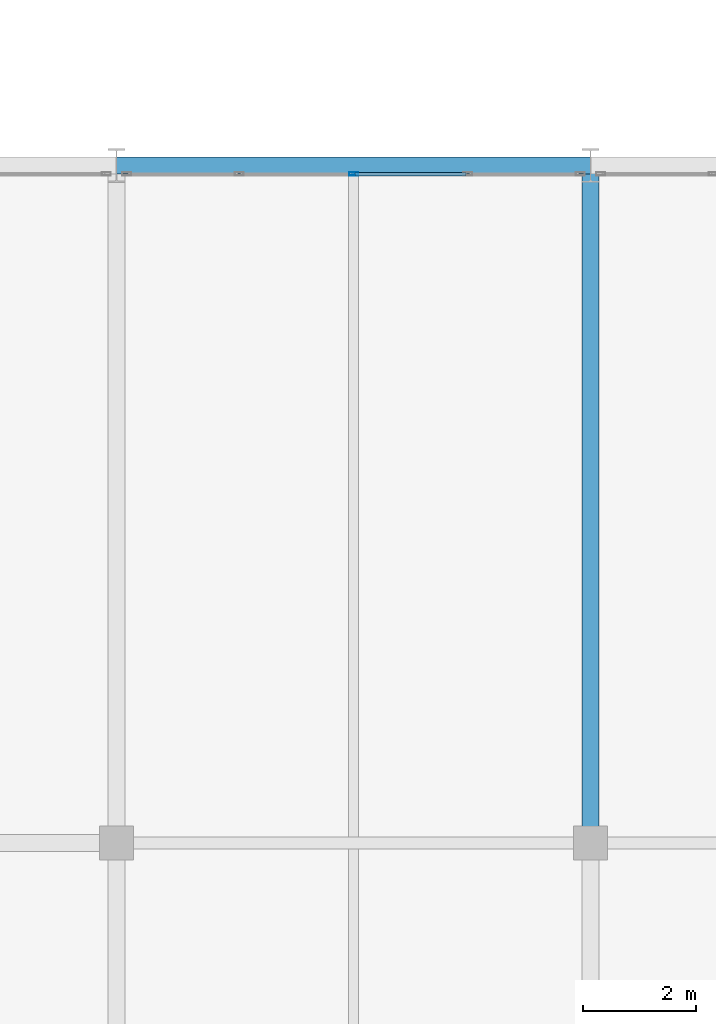
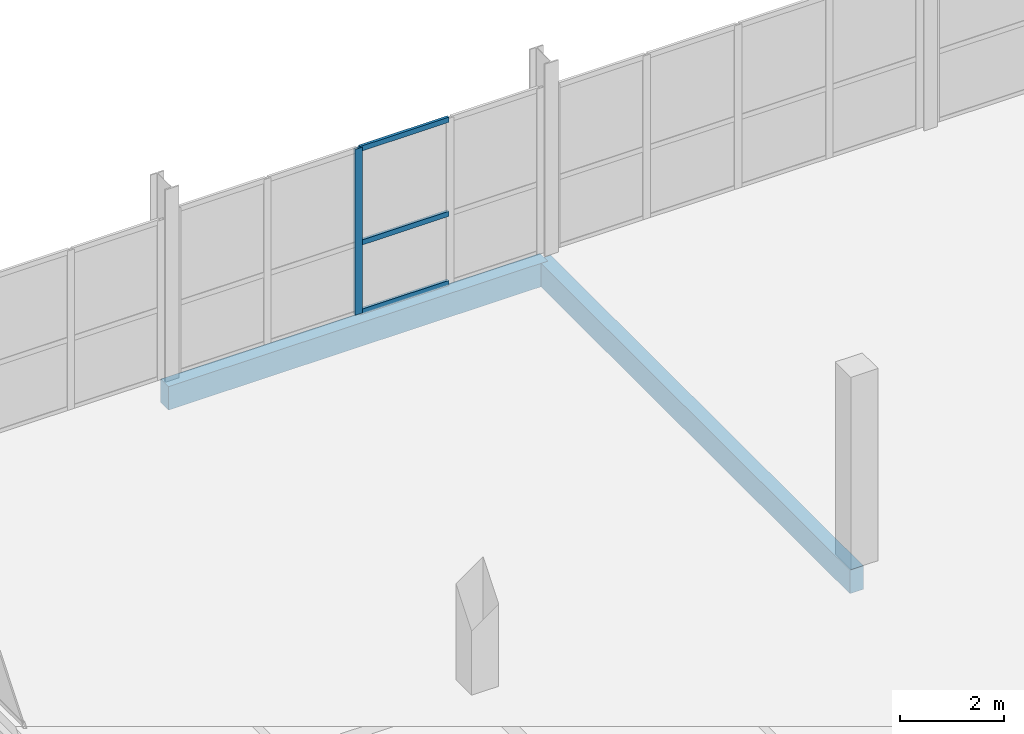
# One storey, part 100 of 130: 4 members, 2 beams, 1 element without a shape of its own.
"""IFC4 building model written with IfcOpenShell, lengths in metres."""

from ifc_helpers import new_model, si_unit, direction, frame, origin, origin_2d, place, context, subcontext, project, spatial, rectangle, hollow_rectangle, extrude, material, material_profile, profile_set, type_object, element, aggregate, save


model = new_model("IFC4")

# Units and contexts
model_context = context("Model", 3, precision=1e-05, world=origin(), true_north=direction((0.0, 1.0)))
body_context = subcontext(model_context, "Body", "Model", "MODEL_VIEW")
ifc_project = project(units=[si_unit("LENGTHUNIT", "METRE"), si_unit("AREAUNIT", "SQUARE_METRE"), si_unit("VOLUMEUNIT", "CUBIC_METRE"), si_unit("PLANEANGLEUNIT", "RADIAN"), si_unit("MASSUNIT", "GRAM", prefix="KILO")], contexts=[model_context])

# Site, building, storey
site_placement = place(None, origin())
site = spatial("IfcSite", under=ifc_project, at=site_placement, CompositionType="ELEMENT")
building_placement = place(site_placement, origin())
building = spatial("IfcBuilding", under=site, at=building_placement, Name="Veltarok Museum of Natural Sciences", CompositionType="ELEMENT")
storey_placement = place(building_placement, frame((0.0, 0.0, 12.89990234375)))
storey = spatial("IfcBuildingStorey", under=building, at=storey_placement, Name="L02", CompositionType="ELEMENT", Elevation=12.89990234375)

# Curtain wall, members
ifc_material_1 = material(Name="Low-iron triple insulated glass", Category="glass")
curtain_wall_type = type_object("IfcCurtainWallType", Name="Curtain Wall System CW-V5N-L02-0-810x388 (CW-V5N L02 810x388cm)", PredefinedType="NOTDEFINED", material=ifc_material_1)
curtain_wall_placement = place(storey_placement, origin())
curtain_wall = element("IfcCurtainWall", 1, at=curtain_wall_placement, inside=storey, type_object=curtain_wall_type, Name="Curtain Wall CW-V5N-L02-0-810x388 CW-0204", PredefinedType="NOTDEFINED")
ifc_material_2 = material(Name="Thermally broken anodised aluminium", Category="aluminium")
ifc_material_profile_1 = material_profile(ifc_material_2, hollow_rectangle(XDim=0.06005859375, YDim=0.1201171875, WallThickness=0.0048828125, at=origin_2d()), Name="CW TRANSOM 60x120x5")
ifc_profile_set_1 = profile_set([ifc_material_profile_1], Name="Thermally broken anodised aluminium")
member_type_1 = type_object("IfcMemberType", Name="Curtain Wall Horizontal Transom 60x120x5", PredefinedType="USERDEFINED", material=ifc_profile_set_1)
member_1_placement = place(storey_placement, frame((146.9951171875, 71.85009765625, 0.028076171875), z_axis=(-1.0, 0.0, 0.0), x_axis=(0.0, -1.0, 0.0)))
member_1 = element("IfcMember", 2, at=member_1_placement, type_object=member_type_1, Name="CW-V5N-L02-0-810x388 transom 2.1", ObjectType="TRANSOM", PredefinedType="USERDEFINED", context=body_context, shape_type="SweptSolid", body=[
    extrude(hollow_rectangle(XDim=0.06005859375, YDim=0.1201171875, WallThickness=0.0048828125, at=origin_2d()), origin(), (0.0, 0.0, 1.0), 1.965087890625),
])
member_2_placement = place(storey_placement, frame((146.9951171875, 71.85009765625, 1.648193359375), z_axis=(-1.0, 0.0, 0.0), x_axis=(0.0, -1.0, 0.0)))
member_2 = element("IfcMember", 3, at=member_2_placement, type_object=member_type_1, Name="CW-V5N-L02-0-810x388 transom 2.2", ObjectType="TRANSOM", PredefinedType="USERDEFINED", context=body_context, shape_type="SweptSolid", body=[
    extrude(hollow_rectangle(XDim=0.06005859375, YDim=0.1201171875, WallThickness=0.0048828125, at=origin_2d()), origin(), (0.0, 0.0, 1.0), 1.965087890625),
])
member_3_placement = place(storey_placement, frame((146.9951171875, 71.85009765625, 3.85009765625), z_axis=(-1.0, 0.0, 0.0), x_axis=(0.0, -1.0, 0.0)))
member_3 = element("IfcMember", 4, at=member_3_placement, type_object=member_type_1, Name="CW-V5N-L02-0-810x388 transom 2.3", ObjectType="TRANSOM", PredefinedType="USERDEFINED", context=body_context, shape_type="SweptSolid", body=[
    extrude(hollow_rectangle(XDim=0.06005859375, YDim=0.1201171875, WallThickness=0.0048828125, at=origin_2d()), origin(), (0.0, 0.0, 1.0), 1.965087890625),
])
ifc_material_profile_2 = material_profile(ifc_material_2, hollow_rectangle(XDim=0.06005859375, YDim=0.159912109375, WallThickness=0.0048828125, at=origin_2d()), Name="CW MULLION 60x160x5")
ifc_profile_set_2 = profile_set([ifc_material_profile_2], Name="Thermally broken anodised aluminium")
member_type_2 = type_object("IfcMemberType", Name="Curtain Wall Vertical Mullion 60x160x5", PredefinedType="MULLION", material=ifc_profile_set_2)
member_4_placement = place(storey_placement, frame((145.0, 71.85009765625, -0.001953125), z_axis=(0.0, 0.0, 1.0), x_axis=(0.0, -1.0, 0.0)))
member_4 = element("IfcMember", 5, at=member_4_placement, type_object=member_type_2, Name="CW-V5N-L02-0-810x388 mullion 3", PredefinedType="MULLION", context=body_context, shape_type="SweptSolid", body=[
    extrude(hollow_rectangle(XDim=0.06005859375, YDim=0.159912109375, WallThickness=0.0048828125, at=origin_2d()), origin(), (0.0, 0.0, 1.0), 3.882080078125),
])
aggregate(curtain_wall, [member_4, member_1, member_2, member_3])

# Beams
ifc_material_3 = material(Name="Precast concrete C40/50", Category="concrete")
ifc_material_profile_3 = material_profile(ifc_material_3, rectangle(XDim=0.300048828125, YDim=0.550048828125, at=origin_2d()), Name="RC 300x550")
ifc_profile_set_3 = profile_set([ifc_material_profile_3], Name="Precast concrete C40/50")
beam_type = type_object("IfcBeamType", Name="East Wing Precast Spandrel RC 300x550", PredefinedType="SPANDREL", material=ifc_profile_set_3)
beam_1_placement = place(storey_placement, frame((140.800048828125, 72.0, -0.52490234375), z_axis=(1.0, 0.0, 0.0), x_axis=(0.0, 1.0, 0.0)))
element("IfcBeam", 6, at=beam_1_placement, inside=storey, type_object=beam_type, Name="Beam BM-SP02 L02 17-18/H", PredefinedType="SPANDREL", context=body_context, shape_type="SweptSolid", body=[
    extrude(rectangle(XDim=0.300048828125, YDim=0.550048828125, at=origin_2d()), origin(), (0.0, 0.0, 1.0), 8.39990234375),
])
beam_2_placement = place(storey_placement, frame((149.199951171875, 60.0, -0.52490234375), z_axis=(0.0, 1.0, 0.0), x_axis=(-1.0, 0.0, 0.0)))
element("IfcBeam", 7, at=beam_2_placement, inside=storey, type_object=beam_type, Name="Beam BM-SP02 L02 18/G-H", PredefinedType="SPANDREL", context=body_context, shape_type="SweptSolid", body=[
    extrude(rectangle(XDim=0.300048828125, YDim=0.550048828125, at=origin_2d()), origin(), (0.0, 0.0, 1.0), 12.0),
])

save(model, "model.ifc")
